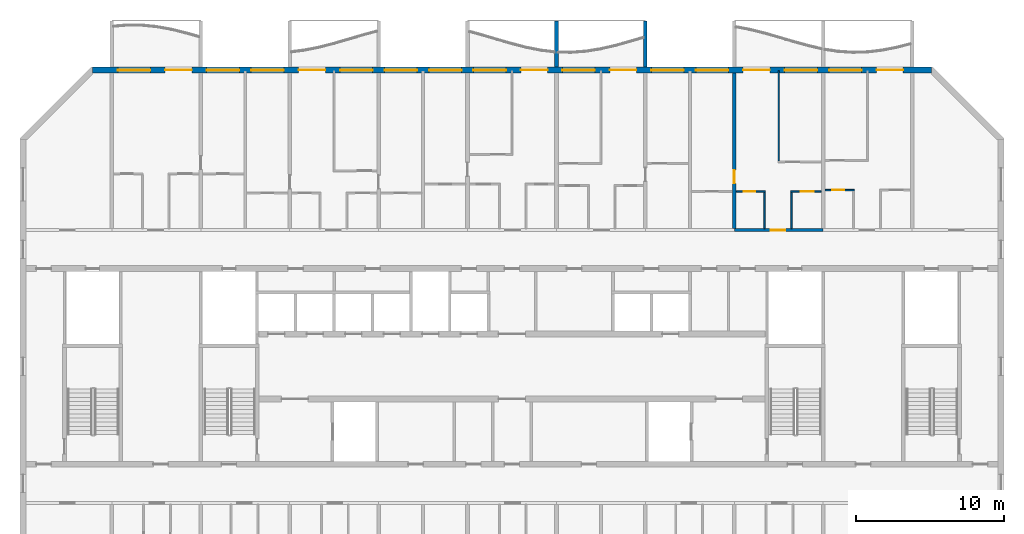
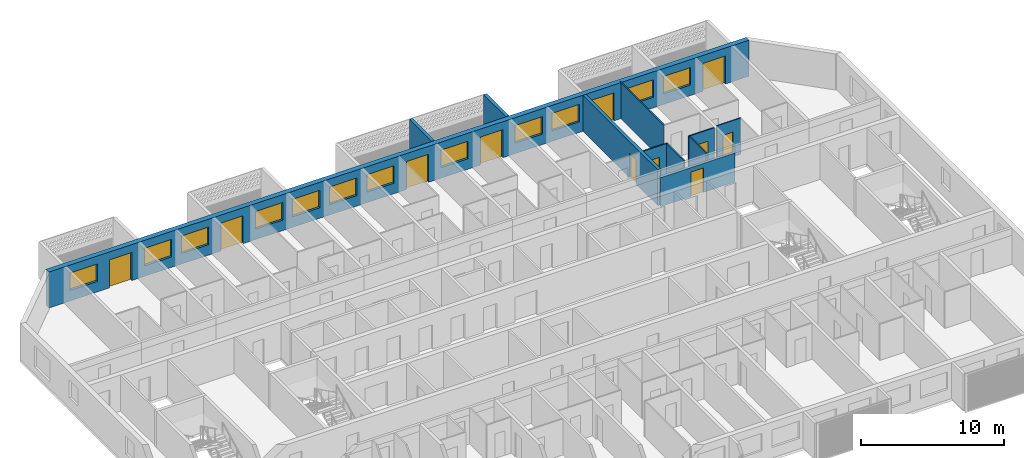
# One storey, part 10 of 26: 12 windows, 11 doors, 11 walls, 23 openings.
"""IFC4 building model written with IfcOpenShell, lengths in metres."""

from ifc_helpers import new_model, si_unit, direction, frame, frame_2d, origin, place, context, subcontext, project, spatial, polyline, rectangle, outline, extrude, source, transform, mapped, material, layer, layer_set, type_object, element, fill, save


model = new_model("IFC4")

# Units and contexts
model_context = context("Model", 3, precision=1e-05, world=origin(), true_north=direction((0.0, 1.0)))
body_context = subcontext(model_context, "Body", "Model", "MODEL_VIEW")
ifc_project = project(units=[si_unit("LENGTHUNIT", "METRE"), si_unit("AREAUNIT", "SQUARE_METRE"), si_unit("VOLUMEUNIT", "CUBIC_METRE"), si_unit("PLANEANGLEUNIT", "RADIAN"), si_unit("MASSUNIT", "GRAM", prefix="KILO")], contexts=[model_context])

# Site, building, storey
site_placement = place(None, origin())
site = spatial("IfcSite", under=ifc_project, at=site_placement, CompositionType="ELEMENT")
building_placement = place(site_placement, origin())
building = spatial("IfcBuilding", under=site, at=building_placement, Name="Poui Terraces", CompositionType="ELEMENT")
storey_placement = place(building_placement, frame((0.0, 0.0, 178.5)))
storey = spatial("IfcBuildingStorey", under=building, at=storey_placement, Name="L49", CompositionType="ELEMENT", Elevation=178.5)

# Wall, opening, door
ifc_material_1 = material(Name="Concrete 50 MPa", Category="concrete")
ifc_layer_1 = layer(ifc_material_1, 0.199951171875)
ifc_layer_set_1 = layer_set([ifc_layer_1], Name="Concrete 50 MPa")
wall_type_1 = type_object("IfcWallType", Name="CORRIDOR WALL 200 50MPa", PredefinedType="SHEAR", material=ifc_layer_set_1)
wall_1_placement = place(storey_placement, frame((66.0, 30.39990234375, 0.0), z_axis=(0.0, 0.0, 1.0), x_axis=(1.0, 0.0, 0.0)))
wall_1 = element("IfcWall", 1, at=wall_1_placement, inside=storey, type_object=wall_type_1, Name="CORRIDOR WALL LINE E BAY 9", PredefinedType="SHEAR", context=body_context, shape_type="SweptSolid", body=[
    extrude(rectangle(XDim=6.0, YDim=0.199951171875, at=frame_2d((3.0, 0.0))), origin(), (0.0, 0.0, 1.0), 2.47998046875),
])
opening_1_placement = place(wall_1_placement, frame((2.449951171875, 0.0, 0.0)))
opening_1 = element("IfcOpeningElement", 2, at=opening_1_placement, cuts=wall_1, Name="Opening FD30S", PredefinedType="OPENING", context=body_context, shape_type="SweptSolid", body=[
    extrude(rectangle(XDim=1.0, YDim=2.10009765625, at=frame_2d((0.5, 1.050048828125))), frame((0.0, 0.10986328125, 0.0), z_axis=(0.0, -1.0, 0.0), x_axis=(1.0, 0.0, 0.0)), (0.0, 0.0, 1.0), 0.219970703125),
])
ifc_material_2 = material(Name="Steel fire door", Category="steel")
door_type_1 = type_object("IfcDoorType", Name="FLAT ENTRANCE DOOR 1000 X 2100", OperationType="NOTDEFINED", PredefinedType="DOOR", material=ifc_material_2)
door_1_placement = place(opening_1_placement, origin())
door_1 = element("IfcDoor", 3, at=door_1_placement, inside=storey, type_object=door_type_1, Name="FLAT ENTRANCE DOOR 054", OperationType="SINGLE_SWING_LEFT", OverallHeight=2.10009765625, OverallWidth=1.0, PredefinedType="DOOR", context=body_context, shape_type="SweptSolid", body=[
    extrude(rectangle(XDim=1.0, YDim=2.10009765625, at=frame_2d((0.5, 1.050048828125))), frame((0.0, 0.02490234375, 0.0), z_axis=(0.0, -1.0, 0.0), x_axis=(1.0, 0.0, 0.0)), (0.0, 0.0, 1.0), 0.050048828125),
])
fill(opening_1, door_1)

ifc_layer_2 = layer(ifc_material_1, 0.25)
ifc_layer_set_2 = layer_set([ifc_layer_2], Name="Concrete 50 MPa")
wall_type_2 = type_object("IfcWallType", Name="CROSS WALL 250 50MPa", PredefinedType="SHEAR", material=ifc_layer_set_2)
wall_2_placement = place(storey_placement, frame((66.0, 30.5, 0.0), z_axis=(0.0, 0.0, 1.0), x_axis=(0.0, 1.0, 0.0)))
wall_2 = element("IfcWall", 4, at=wall_2_placement, inside=storey, type_object=wall_type_2, Name="CROSS WALL LINE 12 NORTH", PredefinedType="SHEAR", context=body_context, shape_type="SweptSolid", body=[
    extrude(rectangle(XDim=10.5, YDim=0.25, at=frame_2d((5.25, 0.0))), origin(), (0.0, 0.0, 1.0), 3.080078125),
])
opening_2_placement = place(wall_2_placement, frame((3.050048828125, 0.0, 0.0)))
opening_2 = element("IfcOpeningElement", 5, at=opening_2_placement, cuts=wall_2, Name="Opening D90", PredefinedType="OPENING", context=body_context, shape_type="SweptSolid", body=[
    extrude(rectangle(XDim=0.89990234375, YDim=2.10009765625, at=frame_2d((0.449951171875, 1.050048828125))), frame((0.0, 0.135009765625, 0.0), z_axis=(0.0, -1.0, 0.0), x_axis=(1.0, 0.0, 0.0)), (0.0, 0.0, 1.0), 0.27001953125),
])
ifc_material_3 = material(Name="Solid core timber door", Category="wood")
door_type_2 = type_object("IfcDoorType", Name="INTERNAL DOOR 900 X 2100", OperationType="NOTDEFINED", PredefinedType="DOOR", material=ifc_material_3)
door_2_placement = place(opening_2_placement, origin())
door_2 = element("IfcDoor", 6, at=door_2_placement, inside=storey, type_object=door_type_2, Name="INTERNAL DOOR 052", OperationType="SINGLE_SWING_LEFT", OverallHeight=2.10009765625, OverallWidth=0.89990234375, PredefinedType="DOOR", context=body_context, shape_type="SweptSolid", body=[
    extrude(rectangle(XDim=0.89990234375, YDim=2.10009765625, at=frame_2d((0.449951171875, 1.050048828125))), frame((0.0, 0.02490234375, 0.0), z_axis=(0.0, -1.0, 0.0), x_axis=(1.0, 0.0, 0.0)), (0.0, 0.0, 1.0), 0.050048828125),
])
fill(opening_2, door_2)

# Wall, openings, doors, windows
ifc_material_4 = material(Name="Precast concrete 40 MPa", Category="concrete")
ifc_layer_3 = layer(ifc_material_4, 0.39990234375)
ifc_layer_set_3 = layer_set([ifc_layer_3], Name="Precast concrete 40 MPa")
wall_type_3 = type_object("IfcWallType", Name="EXTERNAL WALL 400", PredefinedType="STANDARD", material=ifc_layer_set_3)
wall_3_placement = place(storey_placement, frame((79.317138671875, 41.199951171875, 0.0), z_axis=(0.0, 0.0, 1.0), x_axis=(-1.0, 0.0, 0.0)))
wall_3 = element("IfcWall", 7, at=wall_3_placement, inside=storey, type_object=wall_type_3, Name="EXTERNAL WALL N", PredefinedType="STANDARD", context=body_context, shape_type="SweptSolid", body=[
    extrude(rectangle(XDim=56.63427734375, YDim=0.39990234375, at=frame_2d((28.317138671875, 0.0))), origin(), (0.0, 0.0, 1.0), 3.080078125),
])
opening_3_placement = place(wall_3_placement, frame((52.71728515625, 0.0, 0.89990234375)))
opening_3 = element("IfcOpeningElement", 8, at=opening_3_placement, cuts=wall_3, Name="Opening W1", PredefinedType="OPENING", context=body_context, shape_type="SweptSolid", body=[
    extrude(rectangle(XDim=2.199951171875, YDim=1.5, at=frame_2d((1.10009765625, 0.75))), frame((0.0, 0.2099609375, 0.0), z_axis=(0.0, -1.0, 0.0), x_axis=(1.0, 0.0, 0.0)), (0.0, 0.0, 1.0), 0.419921875),
])
opening_4_placement = place(wall_3_placement, frame((49.917236328125, 0.0, 0.0)))
opening_4 = element("IfcOpeningElement", 9, at=opening_4_placement, cuts=wall_3, Name="Opening BD1", PredefinedType="OPENING", context=body_context, shape_type="SweptSolid", body=[
    extrude(rectangle(XDim=1.800048828125, YDim=2.39990234375, at=frame_2d((0.89990234375, 1.199951171875))), frame((0.0, 0.2099609375, 0.0), z_axis=(0.0, -1.0, 0.0), x_axis=(1.0, 0.0, 0.0)), (0.0, 0.0, 1.0), 0.419921875),
])
opening_5_placement = place(wall_3_placement, frame((46.71728515625, 0.0, 0.89990234375)))
opening_5 = element("IfcOpeningElement", 10, at=opening_5_placement, cuts=wall_3, Name="Opening W1", PredefinedType="OPENING", context=body_context, shape_type="SweptSolid", body=[
    extrude(rectangle(XDim=2.199951171875, YDim=1.5, at=frame_2d((1.10009765625, 0.75))), frame((0.0, 0.2099609375, 0.0), z_axis=(0.0, -1.0, 0.0), x_axis=(1.0, 0.0, 0.0)), (0.0, 0.0, 1.0), 0.419921875),
])
opening_6_placement = place(wall_3_placement, frame((43.71728515625, 0.0, 0.89990234375)))
opening_6 = element("IfcOpeningElement", 11, at=opening_6_placement, cuts=wall_3, Name="Opening W1", PredefinedType="OPENING", context=body_context, shape_type="SweptSolid", body=[
    extrude(rectangle(XDim=2.199951171875, YDim=1.5, at=frame_2d((1.10009765625, 0.75))), frame((0.0, 0.2099609375, 0.0), z_axis=(0.0, -1.0, 0.0), x_axis=(1.0, 0.0, 0.0)), (0.0, 0.0, 1.0), 0.419921875),
])
opening_7_placement = place(wall_3_placement, frame((40.917236328125, 0.0, 0.0)))
opening_7 = element("IfcOpeningElement", 12, at=opening_7_placement, cuts=wall_3, Name="Opening BD1", PredefinedType="OPENING", context=body_context, shape_type="SweptSolid", body=[
    extrude(rectangle(XDim=1.800048828125, YDim=2.39990234375, at=frame_2d((0.89990234375, 1.199951171875))), frame((0.0, 0.2099609375, 0.0), z_axis=(0.0, -1.0, 0.0), x_axis=(1.0, 0.0, 0.0)), (0.0, 0.0, 1.0), 0.419921875),
])
opening_8_placement = place(wall_3_placement, frame((37.71728515625, 0.0, 0.89990234375)))
opening_8 = element("IfcOpeningElement", 13, at=opening_8_placement, cuts=wall_3, Name="Opening W1", PredefinedType="OPENING", context=body_context, shape_type="SweptSolid", body=[
    extrude(rectangle(XDim=2.199951171875, YDim=1.5, at=frame_2d((1.10009765625, 0.75))), frame((0.0, 0.2099609375, 0.0), z_axis=(0.0, -1.0, 0.0), x_axis=(1.0, 0.0, 0.0)), (0.0, 0.0, 1.0), 0.419921875),
])
opening_9_placement = place(wall_3_placement, frame((34.71728515625, 0.0, 0.89990234375)))
opening_9 = element("IfcOpeningElement", 14, at=opening_9_placement, cuts=wall_3, Name="Opening W1", PredefinedType="OPENING", context=body_context, shape_type="SweptSolid", body=[
    extrude(rectangle(XDim=2.199951171875, YDim=1.5, at=frame_2d((1.10009765625, 0.75))), frame((0.0, 0.2099609375, 0.0), z_axis=(0.0, -1.0, 0.0), x_axis=(1.0, 0.0, 0.0)), (0.0, 0.0, 1.0), 0.419921875),
])
opening_10_placement = place(wall_3_placement, frame((31.71728515625, 0.0, 0.89990234375)))
opening_10 = element("IfcOpeningElement", 15, at=opening_10_placement, cuts=wall_3, Name="Opening W1", PredefinedType="OPENING", context=body_context, shape_type="SweptSolid", body=[
    extrude(rectangle(XDim=2.199951171875, YDim=1.5, at=frame_2d((1.10009765625, 0.75))), frame((0.0, 0.2099609375, 0.0), z_axis=(0.0, -1.0, 0.0), x_axis=(1.0, 0.0, 0.0)), (0.0, 0.0, 1.0), 0.419921875),
])
opening_11_placement = place(wall_3_placement, frame((28.71728515625, 0.0, 0.89990234375)))
opening_11 = element("IfcOpeningElement", 16, at=opening_11_placement, cuts=wall_3, Name="Opening W1", PredefinedType="OPENING", context=body_context, shape_type="SweptSolid", body=[
    extrude(rectangle(XDim=2.199951171875, YDim=1.5, at=frame_2d((1.10009765625, 0.75))), frame((0.0, 0.2099609375, 0.0), z_axis=(0.0, -1.0, 0.0), x_axis=(1.0, 0.0, 0.0)), (0.0, 0.0, 1.0), 0.419921875),
])
opening_12_placement = place(wall_3_placement, frame((25.917236328125, 0.0, 0.0)))
opening_12 = element("IfcOpeningElement", 17, at=opening_12_placement, cuts=wall_3, Name="Opening BD1", PredefinedType="OPENING", context=body_context, shape_type="SweptSolid", body=[
    extrude(rectangle(XDim=1.800048828125, YDim=2.39990234375, at=frame_2d((0.89990234375, 1.199951171875))), frame((0.0, 0.2099609375, 0.0), z_axis=(0.0, -1.0, 0.0), x_axis=(1.0, 0.0, 0.0)), (0.0, 0.0, 1.0), 0.419921875),
])
opening_13_placement = place(wall_3_placement, frame((22.71728515625, 0.0, 0.89990234375)))
opening_13 = element("IfcOpeningElement", 18, at=opening_13_placement, cuts=wall_3, Name="Opening W1", PredefinedType="OPENING", context=body_context, shape_type="SweptSolid", body=[
    extrude(rectangle(XDim=2.199951171875, YDim=1.5, at=frame_2d((1.10009765625, 0.75))), frame((0.0, 0.2099609375, 0.0), z_axis=(0.0, -1.0, 0.0), x_axis=(1.0, 0.0, 0.0)), (0.0, 0.0, 1.0), 0.419921875),
])
opening_14_placement = place(wall_3_placement, frame((19.917236328125, 0.0, 0.0)))
opening_14 = element("IfcOpeningElement", 19, at=opening_14_placement, cuts=wall_3, Name="Opening BD1", PredefinedType="OPENING", context=body_context, shape_type="SweptSolid", body=[
    extrude(rectangle(XDim=1.800048828125, YDim=2.39990234375, at=frame_2d((0.89990234375, 1.199951171875))), frame((0.0, 0.2099609375, 0.0), z_axis=(0.0, -1.0, 0.0), x_axis=(1.0, 0.0, 0.0)), (0.0, 0.0, 1.0), 0.419921875),
])
opening_15_placement = place(wall_3_placement, frame((16.71728515625, 0.0, 0.89990234375)))
opening_15 = element("IfcOpeningElement", 20, at=opening_15_placement, cuts=wall_3, Name="Opening W1", PredefinedType="OPENING", context=body_context, shape_type="SweptSolid", body=[
    extrude(rectangle(XDim=2.199951171875, YDim=1.5, at=frame_2d((1.10009765625, 0.75))), frame((0.0, 0.2099609375, 0.0), z_axis=(0.0, -1.0, 0.0), x_axis=(1.0, 0.0, 0.0)), (0.0, 0.0, 1.0), 0.419921875),
])
opening_16_placement = place(wall_3_placement, frame((13.71728515625, 0.0, 0.89990234375)))
opening_16 = element("IfcOpeningElement", 21, at=opening_16_placement, cuts=wall_3, Name="Opening W1", PredefinedType="OPENING", context=body_context, shape_type="SweptSolid", body=[
    extrude(rectangle(XDim=2.199951171875, YDim=1.5, at=frame_2d((1.10009765625, 0.75))), frame((0.0, 0.2099609375, 0.0), z_axis=(0.0, -1.0, 0.0), x_axis=(1.0, 0.0, 0.0)), (0.0, 0.0, 1.0), 0.419921875),
])
opening_17_placement = place(wall_3_placement, frame((10.917236328125, 0.0, 0.0)))
opening_17 = element("IfcOpeningElement", 22, at=opening_17_placement, cuts=wall_3, Name="Opening BD1", PredefinedType="OPENING", context=body_context, shape_type="SweptSolid", body=[
    extrude(rectangle(XDim=1.800048828125, YDim=2.39990234375, at=frame_2d((0.89990234375, 1.199951171875))), frame((0.0, 0.2099609375, 0.0), z_axis=(0.0, -1.0, 0.0), x_axis=(1.0, 0.0, 0.0)), (0.0, 0.0, 1.0), 0.419921875),
])
opening_18_placement = place(wall_3_placement, frame((7.71728515625, 0.0, 0.89990234375)))
opening_18 = element("IfcOpeningElement", 23, at=opening_18_placement, cuts=wall_3, Name="Opening W1", PredefinedType="OPENING", context=body_context, shape_type="SweptSolid", body=[
    extrude(rectangle(XDim=2.199951171875, YDim=1.5, at=frame_2d((1.10009765625, 0.75))), frame((0.0, 0.2099609375, 0.0), z_axis=(0.0, -1.0, 0.0), x_axis=(1.0, 0.0, 0.0)), (0.0, 0.0, 1.0), 0.419921875),
])
opening_19_placement = place(wall_3_placement, frame((4.71728515625, 0.0, 0.89990234375)))
opening_19 = element("IfcOpeningElement", 24, at=opening_19_placement, cuts=wall_3, Name="Opening W1", PredefinedType="OPENING", context=body_context, shape_type="SweptSolid", body=[
    extrude(rectangle(XDim=2.199951171875, YDim=1.5, at=frame_2d((1.10009765625, 0.75))), frame((0.0, 0.2099609375, 0.0), z_axis=(0.0, -1.0, 0.0), x_axis=(1.0, 0.0, 0.0)), (0.0, 0.0, 1.0), 0.419921875),
])
opening_20_placement = place(wall_3_placement, frame((1.917236328125, 0.0, 0.0)))
opening_20 = element("IfcOpeningElement", 25, at=opening_20_placement, cuts=wall_3, Name="Opening BD1", PredefinedType="OPENING", context=body_context, shape_type="SweptSolid", body=[
    extrude(rectangle(XDim=1.800048828125, YDim=2.39990234375, at=frame_2d((0.89990234375, 1.199951171875))), frame((0.0, 0.2099609375, 0.0), z_axis=(0.0, -1.0, 0.0), x_axis=(1.0, 0.0, 0.0)), (0.0, 0.0, 1.0), 0.419921875),
])
ifc_material_5 = material(Name="Clear glass in aluminium frame", Category="aluminium")
door_type_3 = type_object("IfcDoorType", Name="BALCONY DOOR 1800X2400", OperationType="DOUBLE_DOOR_SLIDING", PredefinedType="DOOR", material=ifc_material_5)
door_3_placement = place(opening_4_placement, origin())
door_3 = element("IfcDoor", 26, at=door_3_placement, inside=storey, type_object=door_type_3, Name="BD1 BALCONY DOOR", OperationType="DOUBLE_DOOR_SLIDING", OverallHeight=2.39990234375, OverallWidth=1.800048828125, PredefinedType="DOOR", context=body_context, shape_type="SweptSolid", body=[
    extrude(rectangle(XDim=1.800048828125, YDim=2.39990234375, at=frame_2d((0.89990234375, 1.199951171875))), frame((0.0, 0.02490234375, 0.0), z_axis=(0.0, -1.0, 0.0), x_axis=(1.0, 0.0, 0.0)), (0.0, 0.0, 1.0), 0.050048828125),
])
fill(opening_4, door_3)
door_4_placement = place(opening_7_placement, origin())
door_4 = element("IfcDoor", 27, at=door_4_placement, inside=storey, type_object=door_type_3, Name="BD1 BALCONY DOOR", OperationType="DOUBLE_DOOR_SLIDING", OverallHeight=2.39990234375, OverallWidth=1.800048828125, PredefinedType="DOOR", context=body_context, shape_type="SweptSolid", body=[
    extrude(rectangle(XDim=1.800048828125, YDim=2.39990234375, at=frame_2d((0.89990234375, 1.199951171875))), frame((0.0, 0.02490234375, 0.0), z_axis=(0.0, -1.0, 0.0), x_axis=(1.0, 0.0, 0.0)), (0.0, 0.0, 1.0), 0.050048828125),
])
fill(opening_7, door_4)
door_5_placement = place(opening_12_placement, origin())
door_5 = element("IfcDoor", 28, at=door_5_placement, inside=storey, type_object=door_type_3, Name="BD1 BALCONY DOOR", OperationType="DOUBLE_DOOR_SLIDING", OverallHeight=2.39990234375, OverallWidth=1.800048828125, PredefinedType="DOOR", context=body_context, shape_type="SweptSolid", body=[
    extrude(rectangle(XDim=1.800048828125, YDim=2.39990234375, at=frame_2d((0.89990234375, 1.199951171875))), frame((0.0, 0.02490234375, 0.0), z_axis=(0.0, -1.0, 0.0), x_axis=(1.0, 0.0, 0.0)), (0.0, 0.0, 1.0), 0.050048828125),
])
fill(opening_12, door_5)
door_6_placement = place(opening_14_placement, origin())
door_6 = element("IfcDoor", 29, at=door_6_placement, inside=storey, type_object=door_type_3, Name="BD1 BALCONY DOOR", OperationType="DOUBLE_DOOR_SLIDING", OverallHeight=2.39990234375, OverallWidth=1.800048828125, PredefinedType="DOOR", context=body_context, shape_type="SweptSolid", body=[
    extrude(rectangle(XDim=1.800048828125, YDim=2.39990234375, at=frame_2d((0.89990234375, 1.199951171875))), frame((0.0, 0.02490234375, 0.0), z_axis=(0.0, -1.0, 0.0), x_axis=(1.0, 0.0, 0.0)), (0.0, 0.0, 1.0), 0.050048828125),
])
fill(opening_14, door_6)
door_7_placement = place(opening_17_placement, origin())
door_7 = element("IfcDoor", 30, at=door_7_placement, inside=storey, type_object=door_type_3, Name="BD1 BALCONY DOOR", OperationType="DOUBLE_DOOR_SLIDING", OverallHeight=2.39990234375, OverallWidth=1.800048828125, PredefinedType="DOOR", context=body_context, shape_type="SweptSolid", body=[
    extrude(rectangle(XDim=1.800048828125, YDim=2.39990234375, at=frame_2d((0.89990234375, 1.199951171875))), frame((0.0, 0.02490234375, 0.0), z_axis=(0.0, -1.0, 0.0), x_axis=(1.0, 0.0, 0.0)), (0.0, 0.0, 1.0), 0.050048828125),
])
fill(opening_17, door_7)
door_8_placement = place(opening_20_placement, origin())
door_8 = element("IfcDoor", 31, at=door_8_placement, inside=storey, type_object=door_type_3, Name="BD1 BALCONY DOOR", OperationType="DOUBLE_DOOR_SLIDING", OverallHeight=2.39990234375, OverallWidth=1.800048828125, PredefinedType="DOOR", context=body_context, shape_type="SweptSolid", body=[
    extrude(rectangle(XDim=1.800048828125, YDim=2.39990234375, at=frame_2d((0.89990234375, 1.199951171875))), frame((0.0, 0.02490234375, 0.0), z_axis=(0.0, -1.0, 0.0), x_axis=(1.0, 0.0, 0.0)), (0.0, 0.0, 1.0), 0.050048828125),
])
fill(opening_20, door_8)
window_type = type_object("IfcWindowType", Name="WINDOW 2200X1500", PartitioningType="DOUBLE_PANEL_HORIZONTAL", PredefinedType="WINDOW", material=ifc_material_5)
window_1_placement = place(opening_3_placement, origin())
window_1 = element("IfcWindow", 32, at=window_1_placement, inside=storey, type_object=window_type, Name="W1 WINDOW", OverallHeight=1.5, OverallWidth=2.199951171875, PartitioningType="DOUBLE_PANEL_HORIZONTAL", PredefinedType="WINDOW", context=body_context, shape_type="SweptSolid", body=[
    extrude(rectangle(XDim=2.199951171875, YDim=1.5, at=frame_2d((1.10009765625, 0.75))), frame((0.0, 0.030029296875, 0.0), z_axis=(0.0, -1.0, 0.0), x_axis=(1.0, 0.0, 0.0)), (0.0, 0.0, 1.0), 0.06005859375),
])
fill(opening_3, window_1)
window_2_placement = place(opening_5_placement, origin())
window_2 = element("IfcWindow", 33, at=window_2_placement, inside=storey, type_object=window_type, Name="W1 WINDOW", OverallHeight=1.5, OverallWidth=2.199951171875, PartitioningType="DOUBLE_PANEL_HORIZONTAL", PredefinedType="WINDOW", context=body_context, shape_type="SweptSolid", body=[
    extrude(rectangle(XDim=2.199951171875, YDim=1.5, at=frame_2d((1.10009765625, 0.75))), frame((0.0, 0.030029296875, 0.0), z_axis=(0.0, -1.0, 0.0), x_axis=(1.0, 0.0, 0.0)), (0.0, 0.0, 1.0), 0.06005859375),
])
fill(opening_5, window_2)
window_3_placement = place(opening_6_placement, origin())
window_3 = element("IfcWindow", 34, at=window_3_placement, inside=storey, type_object=window_type, Name="W1 WINDOW", OverallHeight=1.5, OverallWidth=2.199951171875, PartitioningType="DOUBLE_PANEL_HORIZONTAL", PredefinedType="WINDOW", context=body_context, shape_type="SweptSolid", body=[
    extrude(rectangle(XDim=2.199951171875, YDim=1.5, at=frame_2d((1.10009765625, 0.75))), frame((0.0, 0.030029296875, 0.0), z_axis=(0.0, -1.0, 0.0), x_axis=(1.0, 0.0, 0.0)), (0.0, 0.0, 1.0), 0.06005859375),
])
fill(opening_6, window_3)
window_4_placement = place(opening_8_placement, origin())
window_4 = element("IfcWindow", 35, at=window_4_placement, inside=storey, type_object=window_type, Name="W1 WINDOW", OverallHeight=1.5, OverallWidth=2.199951171875, PartitioningType="DOUBLE_PANEL_HORIZONTAL", PredefinedType="WINDOW", context=body_context, shape_type="SweptSolid", body=[
    extrude(rectangle(XDim=2.199951171875, YDim=1.5, at=frame_2d((1.10009765625, 0.75))), frame((0.0, 0.030029296875, 0.0), z_axis=(0.0, -1.0, 0.0), x_axis=(1.0, 0.0, 0.0)), (0.0, 0.0, 1.0), 0.06005859375),
])
fill(opening_8, window_4)
window_5_placement = place(opening_9_placement, origin())
window_5 = element("IfcWindow", 36, at=window_5_placement, inside=storey, type_object=window_type, Name="W1 WINDOW", OverallHeight=1.5, OverallWidth=2.199951171875, PartitioningType="DOUBLE_PANEL_HORIZONTAL", PredefinedType="WINDOW", context=body_context, shape_type="SweptSolid", body=[
    extrude(rectangle(XDim=2.199951171875, YDim=1.5, at=frame_2d((1.10009765625, 0.75))), frame((0.0, 0.030029296875, 0.0), z_axis=(0.0, -1.0, 0.0), x_axis=(1.0, 0.0, 0.0)), (0.0, 0.0, 1.0), 0.06005859375),
])
fill(opening_9, window_5)
window_6_placement = place(opening_10_placement, origin())
window_6 = element("IfcWindow", 37, at=window_6_placement, inside=storey, type_object=window_type, Name="W1 WINDOW", OverallHeight=1.5, OverallWidth=2.199951171875, PartitioningType="DOUBLE_PANEL_HORIZONTAL", PredefinedType="WINDOW", context=body_context, shape_type="SweptSolid", body=[
    extrude(rectangle(XDim=2.199951171875, YDim=1.5, at=frame_2d((1.10009765625, 0.75))), frame((0.0, 0.030029296875, 0.0), z_axis=(0.0, -1.0, 0.0), x_axis=(1.0, 0.0, 0.0)), (0.0, 0.0, 1.0), 0.06005859375),
])
fill(opening_10, window_6)
window_7_placement = place(opening_11_placement, origin())
window_7 = element("IfcWindow", 38, at=window_7_placement, inside=storey, type_object=window_type, Name="W1 WINDOW", OverallHeight=1.5, OverallWidth=2.199951171875, PartitioningType="DOUBLE_PANEL_HORIZONTAL", PredefinedType="WINDOW", context=body_context, shape_type="SweptSolid", body=[
    extrude(rectangle(XDim=2.199951171875, YDim=1.5, at=frame_2d((1.10009765625, 0.75))), frame((0.0, 0.030029296875, 0.0), z_axis=(0.0, -1.0, 0.0), x_axis=(1.0, 0.0, 0.0)), (0.0, 0.0, 1.0), 0.06005859375),
])
fill(opening_11, window_7)
window_8_placement = place(opening_13_placement, origin())
window_8 = element("IfcWindow", 39, at=window_8_placement, inside=storey, type_object=window_type, Name="W1 WINDOW", OverallHeight=1.5, OverallWidth=2.199951171875, PartitioningType="DOUBLE_PANEL_HORIZONTAL", PredefinedType="WINDOW", context=body_context, shape_type="SweptSolid", body=[
    extrude(rectangle(XDim=2.199951171875, YDim=1.5, at=frame_2d((1.10009765625, 0.75))), frame((0.0, 0.030029296875, 0.0), z_axis=(0.0, -1.0, 0.0), x_axis=(1.0, 0.0, 0.0)), (0.0, 0.0, 1.0), 0.06005859375),
])
fill(opening_13, window_8)
window_9_placement = place(opening_15_placement, origin())
window_9 = element("IfcWindow", 40, at=window_9_placement, inside=storey, type_object=window_type, Name="W1 WINDOW", OverallHeight=1.5, OverallWidth=2.199951171875, PartitioningType="DOUBLE_PANEL_HORIZONTAL", PredefinedType="WINDOW", context=body_context, shape_type="SweptSolid", body=[
    extrude(rectangle(XDim=2.199951171875, YDim=1.5, at=frame_2d((1.10009765625, 0.75))), frame((0.0, 0.030029296875, 0.0), z_axis=(0.0, -1.0, 0.0), x_axis=(1.0, 0.0, 0.0)), (0.0, 0.0, 1.0), 0.06005859375),
])
fill(opening_15, window_9)
window_10_placement = place(opening_16_placement, origin())
window_10 = element("IfcWindow", 41, at=window_10_placement, inside=storey, type_object=window_type, Name="W1 WINDOW", OverallHeight=1.5, OverallWidth=2.199951171875, PartitioningType="DOUBLE_PANEL_HORIZONTAL", PredefinedType="WINDOW", context=body_context, shape_type="SweptSolid", body=[
    extrude(rectangle(XDim=2.199951171875, YDim=1.5, at=frame_2d((1.10009765625, 0.75))), frame((0.0, 0.030029296875, 0.0), z_axis=(0.0, -1.0, 0.0), x_axis=(1.0, 0.0, 0.0)), (0.0, 0.0, 1.0), 0.06005859375),
])
fill(opening_16, window_10)
window_11_placement = place(opening_18_placement, origin())
window_11 = element("IfcWindow", 42, at=window_11_placement, inside=storey, type_object=window_type, Name="W1 WINDOW", OverallHeight=1.5, OverallWidth=2.199951171875, PartitioningType="DOUBLE_PANEL_HORIZONTAL", PredefinedType="WINDOW", context=body_context, shape_type="SweptSolid", body=[
    extrude(rectangle(XDim=2.199951171875, YDim=1.5, at=frame_2d((1.10009765625, 0.75))), frame((0.0, 0.030029296875, 0.0), z_axis=(0.0, -1.0, 0.0), x_axis=(1.0, 0.0, 0.0)), (0.0, 0.0, 1.0), 0.06005859375),
])
fill(opening_18, window_11)
window_12_placement = place(opening_19_placement, origin())
window_12 = element("IfcWindow", 43, at=window_12_placement, inside=storey, type_object=window_type, Name="W1 WINDOW", OverallHeight=1.5, OverallWidth=2.199951171875, PartitioningType="DOUBLE_PANEL_HORIZONTAL", PredefinedType="WINDOW", context=body_context, shape_type="SweptSolid", body=[
    extrude(rectangle(XDim=2.199951171875, YDim=1.5, at=frame_2d((1.10009765625, 0.75))), frame((0.0, 0.030029296875, 0.0), z_axis=(0.0, -1.0, 0.0), x_axis=(1.0, 0.0, 0.0)), (0.0, 0.0, 1.0), 0.06005859375),
])
fill(opening_19, window_12)

# Wall, opening, door
ifc_material_6 = material(Name="Plasterboard partition")
ifc_layer_4 = layer(ifc_material_6, 0.10009765625)
ifc_layer_set_4 = layer_set([ifc_layer_4], Name="Plasterboard partition")
wall_type_4 = type_object("IfcWallType", Name="FLAT PARTITION 100", PredefinedType="PARTITIONING", material=ifc_layer_set_4)
wall_4_placement = place(storey_placement, frame((66.135009765625, 33.0, 0.0), z_axis=(0.0, 0.0, 1.0), x_axis=(1.0, 0.0, 0.0)))
wall_4 = element("IfcWall", 44, at=wall_4_placement, inside=storey, type_object=wall_type_4, Name="FLAT PARTITION 100", PredefinedType="PARTITIONING", context=body_context, shape_type="SweptSolid", body=[
    extrude(rectangle(XDim=1.965087890625, YDim=0.10009765625, at=frame_2d((0.982421875, 0.0))), origin(), (0.0, 0.0, 1.0), 3.080078125),
])
opening_21_placement = place(wall_4_placement, frame((0.489990234375, 0.0, 0.0)))
opening_21 = element("IfcOpeningElement", 45, at=opening_21_placement, cuts=wall_4, Name="Opening D80", PredefinedType="OPENING", context=body_context, shape_type="SweptSolid", body=[
    extrude(rectangle(XDim=0.800048828125, YDim=2.10009765625, at=frame_2d((0.39990234375, 1.050048828125))), frame((0.0, 0.06005859375, 0.0), z_axis=(0.0, -1.0, 0.0), x_axis=(1.0, 0.0, 0.0)), (0.0, 0.0, 1.0), 0.1201171875),
])
door_type_4 = type_object("IfcDoorType", Name="BATHROOM, LAUNDRY AND STORE DOOR 800 X 2100", OperationType="NOTDEFINED", PredefinedType="DOOR", material=ifc_material_3)
door_9_placement = place(opening_21_placement, frame((0.800048828125, 0.0, 0.0), z_axis=(0.0, 0.0, 1.0), x_axis=(-1.0, 0.0, 0.0)))
door_9 = element("IfcDoor", 46, at=door_9_placement, inside=storey, type_object=door_type_4, Name="BATHROOM, LAUNDRY AND STORE DOOR 053", OperationType="SINGLE_SWING_LEFT", OverallHeight=2.10009765625, OverallWidth=0.800048828125, PredefinedType="DOOR", context=body_context, shape_type="SweptSolid", body=[
    extrude(rectangle(XDim=0.800048828125, YDim=2.10009765625, at=frame_2d((0.39990234375, 1.050048828125))), frame((0.0, 0.02490234375, 0.0), z_axis=(0.0, -1.0, 0.0), x_axis=(1.0, 0.0, 0.0)), (0.0, 0.0, 1.0), 0.050048828125),
])
fill(opening_21, door_9)

wall_5_placement = place(storey_placement, frame((69.800048828125, 33.0, 0.0), z_axis=(0.0, 0.0, 1.0), x_axis=(1.0, 0.0, 0.0)))
wall_5 = element("IfcWall", 47, at=wall_5_placement, inside=storey, type_object=wall_type_4, Name="FLAT PARTITION 100", PredefinedType="PARTITIONING", context=body_context, shape_type="SweptSolid", body=[
    extrude(rectangle(XDim=2.06494140625, YDim=0.10009765625, at=frame_2d((1.032470703125, 0.0))), origin(), (0.0, 0.0, 1.0), 3.080078125),
])
opening_22_placement = place(wall_5_placement, frame((0.675048828125, 0.0, 0.0)))
opening_22 = element("IfcOpeningElement", 48, at=opening_22_placement, cuts=wall_5, Name="Opening D90", PredefinedType="OPENING", context=body_context, shape_type="SweptSolid", body=[
    extrude(rectangle(XDim=0.89990234375, YDim=2.10009765625, at=frame_2d((0.449951171875, 1.050048828125))), frame((0.0, 0.06005859375, 0.0), z_axis=(0.0, -1.0, 0.0), x_axis=(1.0, 0.0, 0.0)), (0.0, 0.0, 1.0), 0.1201171875),
])
door_10_placement = place(opening_22_placement, frame((0.89990234375, 0.0, 0.0), z_axis=(0.0, 0.0, 1.0), x_axis=(-1.0, 0.0, 0.0)))
door_10 = element("IfcDoor", 49, at=door_10_placement, inside=storey, type_object=door_type_2, Name="INTERNAL DOOR 056", OperationType="SINGLE_SWING_RIGHT", OverallHeight=2.10009765625, OverallWidth=0.89990234375, PredefinedType="DOOR", context=body_context, shape_type="SweptSolid", body=[
    extrude(rectangle(XDim=0.89990234375, YDim=2.10009765625, at=frame_2d((0.449951171875, 1.050048828125))), frame((0.0, 0.02490234375, 0.0), z_axis=(0.0, -1.0, 0.0), x_axis=(1.0, 0.0, 0.0)), (0.0, 0.0, 1.0), 0.050048828125),
])
fill(opening_22, door_10)

wall_6_placement = place(storey_placement, frame((72.135009765625, 33.10009765625, 0.0), z_axis=(0.0, 0.0, 1.0), x_axis=(1.0, 0.0, 0.0)))
wall_6 = element("IfcWall", 50, at=wall_6_placement, inside=storey, type_object=wall_type_4, Name="FLAT PARTITION 100", PredefinedType="PARTITIONING", context=body_context, shape_type="SweptSolid", body=[
    extrude(rectangle(XDim=1.965087890625, YDim=0.10009765625, at=frame_2d((0.982421875, 0.0))), origin(), (0.0, 0.0, 1.0), 3.080078125),
])
opening_23_placement = place(wall_6_placement, frame((0.489990234375, 0.0, 0.0)))
opening_23 = element("IfcOpeningElement", 51, at=opening_23_placement, cuts=wall_6, Name="Opening D80", PredefinedType="OPENING", context=body_context, shape_type="SweptSolid", body=[
    extrude(rectangle(XDim=0.800048828125, YDim=2.10009765625, at=frame_2d((0.39990234375, 1.050048828125))), frame((0.0, 0.06005859375, 0.0), z_axis=(0.0, -1.0, 0.0), x_axis=(1.0, 0.0, 0.0)), (0.0, 0.0, 1.0), 0.1201171875),
])
door_11_placement = place(opening_23_placement, frame((0.800048828125, 0.0, 0.0), z_axis=(0.0, 0.0, 1.0), x_axis=(-1.0, 0.0, 0.0)))
door_11 = element("IfcDoor", 52, at=door_11_placement, inside=storey, type_object=door_type_4, Name="BATHROOM, LAUNDRY AND STORE DOOR 058", OperationType="SINGLE_SWING_RIGHT", OverallHeight=2.10009765625, OverallWidth=0.800048828125, PredefinedType="DOOR", context=body_context, shape_type="SweptSolid", body=[
    extrude(rectangle(XDim=0.800048828125, YDim=2.10009765625, at=frame_2d((0.39990234375, 1.050048828125))), frame((0.0, 0.02490234375, 0.0), z_axis=(0.0, -1.0, 0.0), x_axis=(1.0, 0.0, 0.0)), (0.0, 0.0, 1.0), 0.050048828125),
])
fill(opening_23, door_11)

# Walls
wall_7_placement = place(storey_placement, frame((68.050048828125, 30.510009765625, 0.0), z_axis=(0.0, 0.0, 1.0), x_axis=(0.0, 1.0, 0.0)))
element("IfcWall", 53, at=wall_7_placement, inside=storey, type_object=wall_type_4, Name="FLAT PARTITION 100", PredefinedType="PARTITIONING", context=body_context, shape_type="SweptSolid", body=[
    extrude(rectangle(XDim=2.43994140625, YDim=0.10009765625, at=frame_2d((1.219970703125, 0.0))), origin(), (0.0, 0.0, 1.0), 3.080078125),
])
wall_8_placement = place(storey_placement, frame((69.0, 35.050048828125, 0.0), z_axis=(0.0, 0.0, 1.0), x_axis=(0.0, 1.0, 0.0)))
element("IfcWall", 54, at=wall_8_placement, inside=storey, type_object=wall_type_4, Name="FLAT PARTITION 100", PredefinedType="PARTITIONING", context=body_context, shape_type="SweptSolid", body=[
    extrude(rectangle(XDim=6.08984375, YDim=0.10009765625, at=frame_2d((3.044921875, 0.0))), origin(), (0.0, 0.0, 1.0), 3.080078125),
])
wall_9_placement = place(storey_placement, frame((69.85009765625, 30.510009765625, 0.0), z_axis=(0.0, 0.0, 1.0), x_axis=(0.0, 1.0, 0.0)))
element("IfcWall", 55, at=wall_9_placement, inside=storey, type_object=wall_type_4, Name="FLAT PARTITION 100", PredefinedType="PARTITIONING", context=body_context, shape_type="SweptSolid", body=[
    extrude(rectangle(XDim=2.43994140625, YDim=0.10009765625, at=frame_2d((1.219970703125, 0.0))), origin(), (0.0, 0.0, 1.0), 3.080078125),
])
ifc_layer_5 = layer(ifc_material_4, 0.25)
ifc_layer_set_5 = layer_set([ifc_layer_5], Name="Precast concrete 40 MPa")
wall_type_5 = type_object("IfcWallType", Name="BALCONY FIN 250", PredefinedType="STANDARD", material=ifc_layer_set_5)
shared_shape = source(origin(), body_context, "Body", "SweptSolid", [
    extrude(outline(polyline([(0.0, 0.0), (0.25, 0.0), (0.25, 3.10009765625), (0.0, 3.10009765625), (0.0, 0.0)])), origin(), (0.0, 0.0, 1.0), 3.10009765625),
])
for number, where, name in (
    (56, (53.875, 41.39990234375, 0.0), "BALCONY FIN"),
    (57, (59.875, 41.39990234375, 0.0), "BALCONY FIN"),
):
    element("IfcWall", number, at=place(storey_placement, frame(where)), inside=storey, type_object=wall_type_5, Name=name, PredefinedType="STANDARD", context=body_context, shape_type="MappedRepresentation", body=[
        mapped(shared_shape, transform((0.0, 0.0, 0.0))),
    ])

save(model, "model.ifc")
